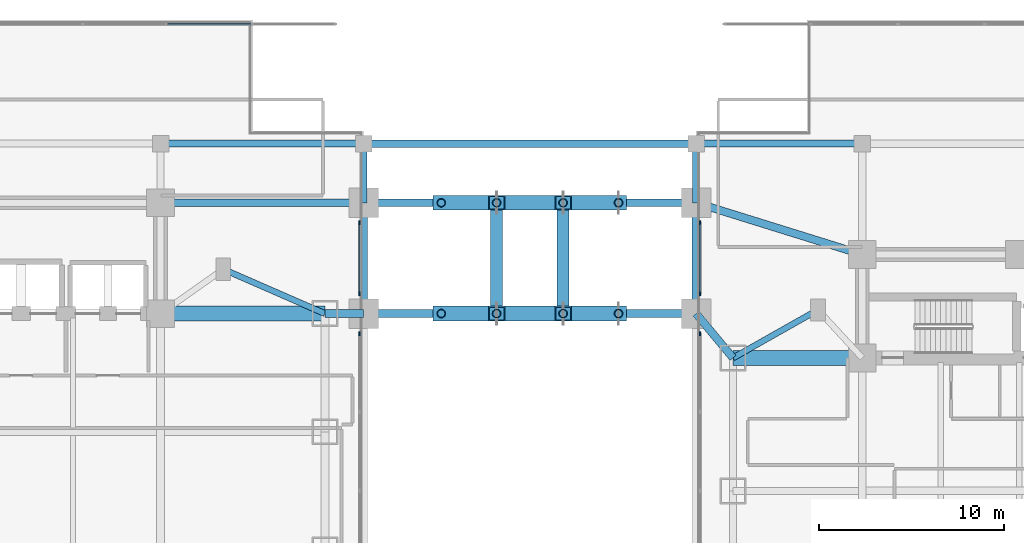
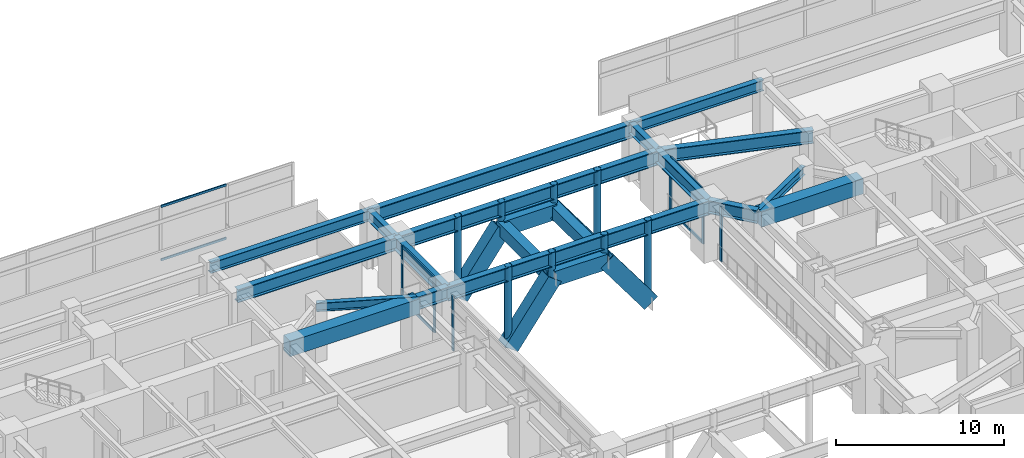
# One storey, part 7 of 30: 28 members, 17 beams, 5 elements without a shape of their own.
"""IFC4 building model written with IfcOpenShell, lengths in metres."""

from ifc_helpers import new_model, si_unit, direction, frame, origin, origin_2d, place, context, subcontext, project, spatial, rectangle, hollow_rectangle, hollow_circle, i_section, extrude, material, material_profile, profile_set, type_object, element, aggregate, save


model = new_model("IFC4")

# Units and contexts
model_context = context("Model", 3, precision=1e-05, world=origin(), true_north=direction((0.0, 1.0)))
body_context = subcontext(model_context, "Body", "Model", "MODEL_VIEW")
ifc_project = project(units=[si_unit("LENGTHUNIT", "METRE"), si_unit("AREAUNIT", "SQUARE_METRE"), si_unit("VOLUMEUNIT", "CUBIC_METRE"), si_unit("PLANEANGLEUNIT", "RADIAN"), si_unit("MASSUNIT", "GRAM", prefix="KILO")], contexts=[model_context])

# Site, building, storey
site_placement = place(None, origin())
site = spatial("IfcSite", under=ifc_project, at=site_placement, CompositionType="ELEMENT")
building_placement = place(site_placement, origin())
building = spatial("IfcBuilding", under=site, at=building_placement, Name="Mirazonda Arch Towers", CompositionType="ELEMENT")
storey_placement = place(building_placement, frame((0.0, 0.0, 9.5)))
storey = spatial("IfcBuildingStorey", under=building, at=storey_placement, Name="L02", CompositionType="ELEMENT", Elevation=9.5)

# Beams
ifc_material_1 = material(Name="Steel ASTM A992 Grade 50", Category="steel")
ifc_material_profile_1 = material_profile(ifc_material_1, i_section(OverallWidth=0.381103515625, OverallDepth=0.77294921875, WebThickness=0.0166015625, FlangeThickness=0.027099609375, at=origin_2d()), Name="W30X173")
ifc_profile_set_1 = profile_set([ifc_material_profile_1], Name="Steel ASTM A992 Grade 50")
beam_type_1 = type_object("IfcBeamType", Name="BM-EXT-W30X173", PredefinedType="USERDEFINED", material=ifc_profile_set_1)
beam_1_placement = place(storey_placement, frame((30.0, 46.800048828125, 3.593505859375), z_axis=(1.0, 0.0, 0.0), x_axis=(0.0, 1.0, 0.0)))
element("IfcBeam", 1, at=beam_1_placement, inside=storey, type_object=beam_type_1, Name="L02 Floor Beam BM-POD-L02-PN-3", ObjectType="GIRDER", PredefinedType="USERDEFINED", context=body_context, shape_type="SweptSolid", body=[
    extrude(i_section(OverallWidth=0.381103515625, OverallDepth=0.77294921875, WebThickness=0.0166015625, FlangeThickness=0.027099609375, at=origin_2d()), origin(), (0.0, 0.0, 1.0), 11.0),
])
beam_2_placement = place(storey_placement, frame((59.0, 46.800048828125, 3.593505859375), z_axis=(1.0, 0.0, 0.0), x_axis=(0.0, 1.0, 0.0)))
element("IfcBeam", 2, at=beam_2_placement, inside=storey, type_object=beam_type_1, Name="L02 Floor Beam BM-POD-L02-PN-4", ObjectType="GIRDER", PredefinedType="USERDEFINED", context=body_context, shape_type="SweptSolid", body=[
    extrude(i_section(OverallWidth=0.381103515625, OverallDepth=0.77294921875, WebThickness=0.0166015625, FlangeThickness=0.027099609375, at=origin_2d()), origin(), (0.0, 0.0, 1.0), 9.0),
])
ifc_material_profile_2 = material_profile(ifc_material_1, i_section(OverallWidth=0.423095703125, OverallDepth=0.947998046875, WebThickness=0.02392578125, FlangeThickness=0.042724609375, at=origin_2d()), Name="W36X302")
ifc_profile_set_2 = profile_set([ifc_material_profile_2], Name="Steel ASTM A992 Grade 50")
beam_type_2 = type_object("IfcBeamType", Name="BM-EXT-W36X302", PredefinedType="USERDEFINED", material=ifc_profile_set_2)
for number, where, z_axis, x_axis, name in (
    (3, (41.0, 37.60009765625, 3.506103515625), (0.0, 1.0, 0.0), (-1.0, 0.0, 0.0), "L02 Floor Beam BM-POD-L02-PA-WL3"),
    (4, (59.0, 37.60009765625, 3.506103515625), (0.0, 1.0, 0.0), (-1.0, 0.0, 0.0), "L02 Floor Beam BM-POD-L02-PA-EL3"),
):
    element("IfcBeam", number, at=place(storey_placement, frame(where, z_axis=z_axis, x_axis=x_axis)), inside=storey, type_object=beam_type_2, Name=name, ObjectType="GIRDER", PredefinedType="USERDEFINED", context=body_context, shape_type="SweptSolid", body=[
        extrude(i_section(OverallWidth=0.423095703125, OverallDepth=0.947998046875, WebThickness=0.02392578125, FlangeThickness=0.042724609375, at=origin_2d()), origin(), (0.0, 0.0, 1.0), 6.0),
    ])
ifc_material_profile_3 = material_profile(ifc_material_1, i_section(OverallWidth=0.419921875, OverallDepth=1.0400390625, WebThickness=0.031005859375, FlangeThickness=0.055908203125, at=origin_2d()), Name="W40X397")
ifc_profile_set_3 = profile_set([ifc_material_profile_3], Name="Steel ASTM A992 Grade 50")
beam_type_3 = type_object("IfcBeamType", Name="BM-EXT-W40X397", PredefinedType="USERDEFINED", material=ifc_profile_set_3)
beam_3_placement = place(storey_placement, frame((41.0, 46.800048828125, 3.4599609375), z_axis=(1.0, 0.0, 0.0), x_axis=(0.0, 1.0, 0.0)))
element("IfcBeam", 5, at=beam_3_placement, inside=storey, type_object=beam_type_3, Name="L02 Floor Beam BM-POD-L02-PARCH-6", ObjectType="GIRDER", PredefinedType="USERDEFINED", context=body_context, shape_type="SweptSolid", body=[
    extrude(i_section(OverallWidth=0.419921875, OverallDepth=1.0400390625, WebThickness=0.031005859375, FlangeThickness=0.055908203125, at=origin_2d()), origin(), (0.0, 0.0, 1.0), 18.0),
])
ifc_material_profile_4 = material_profile(ifc_material_1, i_section(OverallWidth=0.324951171875, OverallDepth=0.615966796875, WebThickness=0.013916015625, FlangeThickness=0.021484375, at=origin_2d()), Name="W24X117")
ifc_profile_set_4 = profile_set([ifc_material_profile_4], Name="Steel ASTM A992 Grade 50")
beam_type_4 = type_object("IfcBeamType", Name="BM-INT-W24X117", PredefinedType="BEAM", material=ifc_profile_set_4)
beam_4_placement = place(storey_placement, frame((33.39990234375, 40.0, 3.672119140625), z_axis=(0.916545343703, -0.399930785183, 0.0), x_axis=(0.399930785183, 0.916545343703, 0.0)))
element("IfcBeam", 6, at=beam_4_placement, inside=storey, type_object=beam_type_4, Name="L02 Floor Beam BM-T1-L02-PL-NE2", PredefinedType="BEAM", context=body_context, shape_type="SweptSolid", body=[
    extrude(i_section(OverallWidth=0.324951171875, OverallDepth=0.615966796875, WebThickness=0.013916015625, FlangeThickness=0.021484375, at=origin_2d()), origin(), (0.0, 0.0, 1.0), 6.000732421875),
])
beam_5_placement = place(storey_placement, frame((65.60009765625, 37.800048828125, 3.672119140625), z_axis=(-0.870559396632, -0.492063346467, 0.0), x_axis=(0.492063346467, -0.870559396632, 0.0)))
element("IfcBeam", 7, at=beam_5_placement, inside=storey, type_object=beam_type_4, Name="L02 Floor Beam BM-T2-L02-PL-NW2", PredefinedType="BEAM", context=body_context, shape_type="SweptSolid", body=[
    extrude(i_section(OverallWidth=0.324951171875, OverallDepth=0.615966796875, WebThickness=0.013916015625, FlangeThickness=0.021484375, at=origin_2d()), origin(), (0.0, 0.0, 1.0), 5.2841796875),
])
ifc_material_profile_5 = material_profile(ifc_material_1, i_section(OverallWidth=0.381103515625, OverallDepth=0.77294921875, WebThickness=0.0166015625, FlangeThickness=0.027099609375, at=origin_2d()), Name="W30X173")
ifc_profile_set_5 = profile_set([ifc_material_profile_5], Name="Steel ASTM A992 Grade 50")
beam_type_5 = type_object("IfcBeamType", Name="BM-INT-W30X173", PredefinedType="USERDEFINED", material=ifc_profile_set_5)
for number, where, z_axis, x_axis, name in (
    (8, (41.0, 43.60009765625, 3.593505859375), (0.0, 1.0, 0.0), (-1.0, 0.0, 0.0), "L02 Floor Beam BM-POD-L02-PCN-4"),
    (9, (59.0, 43.60009765625, 3.593505859375), (0.0, 1.0, 0.0), (-1.0, 0.0, 0.0), "L02 Floor Beam BM-POD-L02-PCN-5"),
):
    element("IfcBeam", number, at=place(storey_placement, frame(where, z_axis=z_axis, x_axis=x_axis)), inside=storey, type_object=beam_type_5, Name=name, ObjectType="GIRDER", PredefinedType="USERDEFINED", context=body_context, shape_type="SweptSolid", body=[
        extrude(i_section(OverallWidth=0.381103515625, OverallDepth=0.77294921875, WebThickness=0.0166015625, FlangeThickness=0.027099609375, at=origin_2d()), origin(), (0.0, 0.0, 1.0), 3.199951171875),
    ])
ifc_material_profile_6 = material_profile(ifc_material_1, i_section(OverallWidth=0.423095703125, OverallDepth=0.947998046875, WebThickness=0.02392578125, FlangeThickness=0.042724609375, at=origin_2d()), Name="W36X302")
ifc_profile_set_6 = profile_set([ifc_material_profile_6], Name="Steel ASTM A992 Grade 50")
beam_type_6 = type_object("IfcBeamType", Name="BM-INT-W36X302", PredefinedType="USERDEFINED", material=ifc_profile_set_6)
beam_6_placement = place(storey_placement, frame((38.89990234375, 37.60009765625, 3.506103515625), z_axis=(1.0, 0.0, 0.0), x_axis=(0.0, 1.0, 0.0)))
element("IfcBeam", 10, at=beam_6_placement, inside=storey, type_object=beam_type_6, Name="L02 Floor Beam BM-POD-L02-PA-W3", ObjectType="GIRDER", PredefinedType="USERDEFINED", context=body_context, shape_type="SweptSolid", body=[
    extrude(i_section(OverallWidth=0.423095703125, OverallDepth=0.947998046875, WebThickness=0.02392578125, FlangeThickness=0.042724609375, at=origin_2d()), origin(), (0.0, 0.0, 1.0), 2.10009765625),
])
beam_7_placement = place(storey_placement, frame((30.0, 43.60009765625, 3.506103515625), z_axis=(1.0, 0.0, 0.0), x_axis=(0.0, 1.0, 0.0)))
element("IfcBeam", 11, at=beam_7_placement, inside=storey, type_object=beam_type_6, Name="L02 Floor Beam BM-POD-L02-PA-W4", ObjectType="GIRDER", PredefinedType="USERDEFINED", context=body_context, shape_type="SweptSolid", body=[
    extrude(i_section(OverallWidth=0.423095703125, OverallDepth=0.947998046875, WebThickness=0.02392578125, FlangeThickness=0.042724609375, at=origin_2d()), origin(), (0.0, 0.0, 1.0), 11.0),
])
beam_8_placement = place(storey_placement, frame((59.0, 37.60009765625, 3.506103515625), z_axis=(0.640161340286, -0.76824049516, 0.0), x_axis=(0.76824049516, 0.640161340286, 0.0)))
element("IfcBeam", 12, at=beam_8_placement, inside=storey, type_object=beam_type_6, Name="L02 Floor Beam BM-POD-L02-PA-E3", ObjectType="GIRDER", PredefinedType="USERDEFINED", context=body_context, shape_type="SweptSolid", body=[
    extrude(i_section(OverallWidth=0.423095703125, OverallDepth=0.947998046875, WebThickness=0.02392578125, FlangeThickness=0.042724609375, at=origin_2d()), origin(), (0.0, 0.0, 1.0), 3.124267578125),
])
beam_9_placement = place(storey_placement, frame((59.0, 43.60009765625, 3.506103515625), z_axis=(0.954855306861, -0.29707127589, 0.0), x_axis=(0.29707127589, 0.954855306861, 0.0)))
element("IfcBeam", 13, at=beam_9_placement, inside=storey, type_object=beam_type_6, Name="L02 Floor Beam BM-POD-L02-PA-E4", ObjectType="GIRDER", PredefinedType="USERDEFINED", context=body_context, shape_type="SweptSolid", body=[
    extrude(i_section(OverallWidth=0.423095703125, OverallDepth=0.947998046875, WebThickness=0.02392578125, FlangeThickness=0.042724609375, at=origin_2d()), origin(), (0.0, 0.0, 1.0), 9.425537109375),
])
ifc_material_profile_7 = material_profile(ifc_material_1, i_section(OverallWidth=0.419921875, OverallDepth=1.0400390625, WebThickness=0.031005859375, FlangeThickness=0.055908203125, at=origin_2d()), Name="W40X397")
ifc_profile_set_7 = profile_set([ifc_material_profile_7], Name="Steel ASTM A992 Grade 50")
beam_type_7 = type_object("IfcBeamType", Name="BM-INT-W40X397", PredefinedType="USERDEFINED", material=ifc_profile_set_7)
for number, where, z_axis, x_axis, name in (
    (14, (41.0, 37.60009765625, 3.4599609375), (1.0, 0.0, 0.0), (0.0, 1.0, 0.0), "L02 Floor Beam BM-POD-L02-PARCH-4"),
    (15, (41.0, 43.60009765625, 3.4599609375), (1.0, 0.0, 0.0), (0.0, 1.0, 0.0), "L02 Floor Beam BM-POD-L02-PARCH-5"),
):
    element("IfcBeam", number, at=place(storey_placement, frame(where, z_axis=z_axis, x_axis=x_axis)), inside=storey, type_object=beam_type_7, Name=name, ObjectType="GIRDER", PredefinedType="USERDEFINED", context=body_context, shape_type="SweptSolid", body=[
        extrude(i_section(OverallWidth=0.419921875, OverallDepth=1.0400390625, WebThickness=0.031005859375, FlangeThickness=0.055908203125, at=origin_2d()), origin(), (0.0, 0.0, 1.0), 18.0),
    ])
ifc_material_2 = material(Name="Concrete C60/75", Category="concrete")
ifc_material_profile_8 = material_profile(ifc_material_2, rectangle(XDim=0.800048828125, YDim=1.10009765625, at=origin_2d()), Name="RCCB800x1100")
ifc_profile_set_8 = profile_set([ifc_material_profile_8], Name="Concrete C60/75")
beam_type_8 = type_object("IfcBeamType", Name="CB-INT-RCCB800x1100", PredefinedType="SPANDREL", material=ifc_profile_set_8)
beam_10_placement = place(storey_placement, frame((30.0, 37.60009765625, 3.429931640625), z_axis=(1.0, 0.0, 0.0), x_axis=(0.0, 1.0, 0.0)))
element("IfcBeam", 16, at=beam_10_placement, inside=storey, type_object=beam_type_8, Name="L02 Floor Beam CB-T1-L02-NE", PredefinedType="SPANDREL", context=body_context, shape_type="SweptSolid", body=[
    extrude(rectangle(XDim=0.800048828125, YDim=1.10009765625, at=origin_2d()), origin(), (0.0, 0.0, 1.0), 8.89990234375),
])
beam_11_placement = place(storey_placement, frame((61.0, 35.199951171875, 3.429931640625), z_axis=(1.0, 0.0, 0.0), x_axis=(0.0, 1.0, 0.0)))
element("IfcBeam", 17, at=beam_11_placement, inside=storey, type_object=beam_type_8, Name="L02 Floor Beam CB-T2-L02-NW", PredefinedType="SPANDREL", context=body_context, shape_type="SweptSolid", body=[
    extrude(rectangle(XDim=0.800048828125, YDim=1.10009765625, at=origin_2d()), origin(), (0.0, 0.0, 1.0), 7.0),
])

# Members
ifc_material_3 = material(Name="Steel ASTM A572 Grade 50", Category="steel")
ifc_material_profile_9 = material_profile(ifc_material_3, hollow_rectangle(XDim=0.64990234375, YDim=0.89990234375, WallThickness=0.050048828125, at=origin_2d()), Name="ARCHBOX900x650x50")
ifc_profile_set_9 = profile_set([ifc_material_profile_9], Name="Steel ASTM A572 Grade 50")
member_type_1 = type_object("IfcMemberType", Name="MBR-EXT-ARCHBOX900x650x50", PredefinedType="BRACE", material=ifc_profile_set_9)
for number, where, z_axis, x_axis, name in (
    (18, (48.199951171875, 37.60009765625, 2.14990234375), (0.0, 1.0, 0.0), (-1.0, 0.0, 0.0), "Podium Arch Transverse Brace N-2"),
    (19, (51.800048828125, 37.60009765625, 2.14990234375), (0.0, 1.0, 0.0), (-1.0, 0.0, 0.0), "Podium Arch Transverse Brace N-3"),
):
    element("IfcMember", number, at=place(storey_placement, frame(where, z_axis=z_axis, x_axis=x_axis)), inside=storey, type_object=member_type_1, Name=name, PredefinedType="BRACE", context=body_context, shape_type="SweptSolid", body=[
        extrude(hollow_rectangle(XDim=0.64990234375, YDim=0.89990234375, WallThickness=0.050048828125, at=origin_2d()), origin(), (0.0, 0.0, 1.0), 6.0),
    ])
ifc_material_profile_10 = material_profile(ifc_material_3, hollow_rectangle(XDim=0.800048828125, YDim=1.10009765625, WallThickness=0.06005859375, at=origin_2d()), Name="ARCHBOX1100x800x60")
ifc_profile_set_10 = profile_set([ifc_material_profile_10], Name="Steel ASTM A572 Grade 50")
member_type_2 = type_object("IfcMemberType", Name="MBR-INT-ARCHBOX1100x800x60", PredefinedType="CHORD", material=ifc_profile_set_10)
member_1_placement = place(storey_placement, frame((45.199951171875, 37.60009765625, -1.89990234375), z_axis=(0.595246086003, 0.0, 0.803543463104), x_axis=(0.0, 1.0, 0.0)))
element("IfcMember", 20, at=member_1_placement, inside=storey, type_object=member_type_2, Name="Podium Parabolic Arch Rib 3 Chord 2", PredefinedType="CHORD", context=body_context, shape_type="SweptSolid", body=[
    extrude(hollow_rectangle(XDim=0.800048828125, YDim=1.10009765625, WallThickness=0.06005859375, at=origin_2d()), origin(), (0.0, 0.0, 1.0), 5.0400390625),
])
member_2_placement = place(storey_placement, frame((48.199951171875, 37.60009765625, 2.14990234375), z_axis=(1.0, 0.0, 0.0), x_axis=(0.0, 1.0, 0.0)))
element("IfcMember", 21, at=member_2_placement, inside=storey, type_object=member_type_2, Name="Podium Parabolic Arch Rib 3 Chord 3", PredefinedType="CHORD", context=body_context, shape_type="SweptSolid", body=[
    extrude(hollow_rectangle(XDim=0.800048828125, YDim=1.10009765625, WallThickness=0.06005859375, at=origin_2d()), origin(), (0.0, 0.0, 1.0), 3.60009765625),
])
for number, where, z_axis, x_axis, name in (
    (22, (51.800048828125, 37.60009765625, 2.14990234375), (0.595246086003, 0.0, -0.803543463104), (0.0, 1.0, 0.0), "Podium Parabolic Arch Rib 3 Chord 4"),
    (23, (45.199951171875, 43.60009765625, -1.89990234375), (0.595246086003, 0.0, 0.803543463104), (0.0, 1.0, 0.0), "Podium Parabolic Arch Rib 4 Chord 2"),
):
    element("IfcMember", number, at=place(storey_placement, frame(where, z_axis=z_axis, x_axis=x_axis)), inside=storey, type_object=member_type_2, Name=name, PredefinedType="CHORD", context=body_context, shape_type="SweptSolid", body=[
        extrude(hollow_rectangle(XDim=0.800048828125, YDim=1.10009765625, WallThickness=0.06005859375, at=origin_2d()), origin(), (0.0, 0.0, 1.0), 5.0400390625),
    ])
member_3_placement = place(storey_placement, frame((48.199951171875, 43.60009765625, 2.14990234375), z_axis=(1.0, 0.0, 0.0), x_axis=(0.0, 1.0, 0.0)))
element("IfcMember", 24, at=member_3_placement, inside=storey, type_object=member_type_2, Name="Podium Parabolic Arch Rib 4 Chord 3", PredefinedType="CHORD", context=body_context, shape_type="SweptSolid", body=[
    extrude(hollow_rectangle(XDim=0.800048828125, YDim=1.10009765625, WallThickness=0.06005859375, at=origin_2d()), origin(), (0.0, 0.0, 1.0), 3.60009765625),
])
member_4_placement = place(storey_placement, frame((51.800048828125, 43.60009765625, 2.14990234375), z_axis=(0.595246086003, 0.0, -0.803543463104), x_axis=(0.0, 1.0, 0.0)))
element("IfcMember", 25, at=member_4_placement, inside=storey, type_object=member_type_2, Name="Podium Parabolic Arch Rib 4 Chord 4", PredefinedType="CHORD", context=body_context, shape_type="SweptSolid", body=[
    extrude(hollow_rectangle(XDim=0.800048828125, YDim=1.10009765625, WallThickness=0.06005859375, at=origin_2d()), origin(), (0.0, 0.0, 1.0), 5.0400390625),
])
ifc_material_profile_11 = material_profile(ifc_material_3, hollow_circle(Radius=0.228515625, WallThickness=0.02197265625, at=origin_2d()), Name="BELTSTRUT457x22CHS")
ifc_profile_set_11 = profile_set([ifc_material_profile_11], Name="Steel ASTM A572 Grade 50")
member_type_3 = type_object("IfcMemberType", Name="MBR-INT-BELTSTRUT457x22CHS", PredefinedType="STRUT", material=ifc_profile_set_11)
member_5_placement = place(storey_placement, frame((45.199951171875, 37.60009765625, -1.89990234375), z_axis=(0.0, 0.0, 1.0), x_axis=(1.0, 0.0, 0.0)))
element("IfcMember", 26, at=member_5_placement, inside=storey, type_object=member_type_3, Name="Arch Spandrel Post R3-1", PredefinedType="STRUT", context=body_context, shape_type="SweptSolid", body=[
    extrude(hollow_circle(Radius=0.228515625, WallThickness=0.02197265625, at=origin_2d()), origin(), (0.0, 0.0, 1.0), 5.8798828125),
])
for number, where, z_axis, x_axis, name in (
    (27, (48.199951171875, 37.60009765625, 2.14990234375), (0.0, 0.0, 1.0), (1.0, 0.0, 0.0), "Arch Spandrel Post R3-2"),
    (28, (51.800048828125, 37.60009765625, 2.14990234375), (0.0, 0.0, 1.0), (1.0, 0.0, 0.0), "Arch Spandrel Post R3-3"),
):
    element("IfcMember", number, at=place(storey_placement, frame(where, z_axis=z_axis, x_axis=x_axis)), inside=storey, type_object=member_type_3, Name=name, PredefinedType="STRUT", context=body_context, shape_type="SweptSolid", body=[
        extrude(hollow_circle(Radius=0.228515625, WallThickness=0.02197265625, at=origin_2d()), origin(), (0.0, 0.0, 1.0), 1.830078125),
    ])
for number, where, z_axis, x_axis, name in (
    (29, (54.800048828125, 37.60009765625, -1.89990234375), (0.0, 0.0, 1.0), (1.0, 0.0, 0.0), "Arch Spandrel Post R3-4"),
    (30, (45.199951171875, 43.60009765625, -1.89990234375), (0.0, 0.0, 1.0), (1.0, 0.0, 0.0), "Arch Spandrel Post R4-1"),
):
    element("IfcMember", number, at=place(storey_placement, frame(where, z_axis=z_axis, x_axis=x_axis)), inside=storey, type_object=member_type_3, Name=name, PredefinedType="STRUT", context=body_context, shape_type="SweptSolid", body=[
        extrude(hollow_circle(Radius=0.228515625, WallThickness=0.02197265625, at=origin_2d()), origin(), (0.0, 0.0, 1.0), 5.8798828125),
    ])
for number, where, z_axis, x_axis, name in (
    (31, (48.199951171875, 43.60009765625, 2.14990234375), (0.0, 0.0, 1.0), (1.0, 0.0, 0.0), "Arch Spandrel Post R4-2"),
    (32, (51.800048828125, 43.60009765625, 2.14990234375), (0.0, 0.0, 1.0), (1.0, 0.0, 0.0), "Arch Spandrel Post R4-3"),
):
    element("IfcMember", number, at=place(storey_placement, frame(where, z_axis=z_axis, x_axis=x_axis)), inside=storey, type_object=member_type_3, Name=name, PredefinedType="STRUT", context=body_context, shape_type="SweptSolid", body=[
        extrude(hollow_circle(Radius=0.228515625, WallThickness=0.02197265625, at=origin_2d()), origin(), (0.0, 0.0, 1.0), 1.830078125),
    ])
member_6_placement = place(storey_placement, frame((54.800048828125, 43.60009765625, -1.89990234375), z_axis=(0.0, 0.0, 1.0), x_axis=(1.0, 0.0, 0.0)))
element("IfcMember", 33, at=member_6_placement, inside=storey, type_object=member_type_3, Name="Arch Spandrel Post R4-4", PredefinedType="STRUT", context=body_context, shape_type="SweptSolid", body=[
    extrude(hollow_circle(Radius=0.228515625, WallThickness=0.02197265625, at=origin_2d()), origin(), (0.0, 0.0, 1.0), 5.8798828125),
])

# Curtain wall, members
ifc_material_4 = material(Name="Anodised Aluminium and Low-E Glass", Category="aluminium")
curtain_wall_type_1 = type_object("IfcCurtainWallType", Name="CW-ARCH-GLAZE", PredefinedType="NOTDEFINED", material=ifc_material_4)
curtain_wall_1_placement = place(storey_placement, origin())
curtain_wall_1 = element("IfcCurtainWall", 34, at=curtain_wall_1_placement, inside=storey, type_object=curtain_wall_type_1, Name="L02 Curtain Wall CW-L02-AW-S1", PredefinedType="NOTDEFINED")
ifc_material_5 = material(Name="Anodised Aluminium Alloy", Category="aluminium")
ifc_material_profile_12 = material_profile(ifc_material_5, rectangle(XDim=0.090087890625, YDim=0.219970703125, at=origin_2d()), Name="ALU-MULL-90x220")
ifc_profile_set_12 = profile_set([ifc_material_profile_12], Name="Anodised Aluminium Alloy")
member_type_4 = type_object("IfcMemberType", Name="MULL-CW-ARCH-GLAZE", PredefinedType="MULLION", material=ifc_profile_set_12)
member_7_placement = place(storey_placement, frame((40.780029296875, 42.514892578125, 0.0), z_axis=(0.0, 0.0, 1.0), x_axis=(1.0, 0.0, 0.0)))
member_7 = element("IfcMember", 35, at=member_7_placement, type_object=member_type_4, Name="CW-106 mullion 1", PredefinedType="MULLION", context=body_context, shape_type="SweptSolid", body=[
    extrude(rectangle(XDim=0.090087890625, YDim=0.219970703125, at=origin_2d()), origin(), (0.0, 0.0, 1.0), 3.9599609375),
])
member_8_placement = place(storey_placement, frame((40.780029296875, 38.68505859375, 0.0), z_axis=(0.0, 0.0, 1.0), x_axis=(1.0, 0.0, 0.0)))
member_8 = element("IfcMember", 36, at=member_8_placement, type_object=member_type_4, Name="CW-106 mullion 2", PredefinedType="MULLION", context=body_context, shape_type="SweptSolid", body=[
    extrude(rectangle(XDim=0.090087890625, YDim=0.219970703125, at=origin_2d()), origin(), (0.0, 0.0, 1.0), 3.9599609375),
])

# Curtain wall, member
curtain_wall_2_placement = place(storey_placement, origin())
curtain_wall_2 = element("IfcCurtainWall", 37, at=curtain_wall_2_placement, inside=storey, type_object=curtain_wall_type_1, Name="L02 Curtain Wall CW-L02-AW-S2", PredefinedType="NOTDEFINED")
member_9_placement = place(storey_placement, frame((40.780029296875, 36.514892578125, 0.0), z_axis=(0.0, 0.0, 1.0), x_axis=(1.0, 0.0, 0.0)))
member_9 = element("IfcMember", 38, at=member_9_placement, type_object=member_type_4, Name="CW-106 mullion 1", PredefinedType="MULLION", context=body_context, shape_type="SweptSolid", body=[
    extrude(rectangle(XDim=0.090087890625, YDim=0.219970703125, at=origin_2d()), origin(), (0.0, 0.0, 1.0), 3.9599609375),
])
aggregate(curtain_wall_2, [member_9])

curtain_wall_3_placement = place(storey_placement, origin())
curtain_wall_3 = element("IfcCurtainWall", 39, at=curtain_wall_3_placement, inside=storey, type_object=curtain_wall_type_1, Name="L02 Curtain Wall CW-L02-AE-S3", PredefinedType="NOTDEFINED")
member_10_placement = place(storey_placement, frame((59.219970703125, 36.514892578125, 0.0), z_axis=(0.0, 0.0, 1.0), x_axis=(-1.0, 0.0, 0.0)))
member_10 = element("IfcMember", 40, at=member_10_placement, type_object=member_type_4, Name="CW-106 mullion 5", PredefinedType="MULLION", context=body_context, shape_type="SweptSolid", body=[
    extrude(rectangle(XDim=0.090087890625, YDim=0.219970703125, at=origin_2d()), origin(), (0.0, 0.0, 1.0), 3.9599609375),
])
aggregate(curtain_wall_3, [member_10])

# Curtain wall, members
curtain_wall_4_placement = place(storey_placement, origin())
curtain_wall_4 = element("IfcCurtainWall", 41, at=curtain_wall_4_placement, inside=storey, type_object=curtain_wall_type_1, Name="L02 Curtain Wall CW-L02-AE-S4", PredefinedType="NOTDEFINED")
member_11_placement = place(storey_placement, frame((59.219970703125, 38.68505859375, 0.0), z_axis=(0.0, 0.0, 1.0), x_axis=(-1.0, 0.0, 0.0)))
member_11 = element("IfcMember", 42, at=member_11_placement, type_object=member_type_4, Name="CW-106 mullion 1", PredefinedType="MULLION", context=body_context, shape_type="SweptSolid", body=[
    extrude(rectangle(XDim=0.090087890625, YDim=0.219970703125, at=origin_2d()), origin(), (0.0, 0.0, 1.0), 3.9599609375),
])
member_12_placement = place(storey_placement, frame((59.219970703125, 42.514892578125, 0.0), z_axis=(0.0, 0.0, 1.0), x_axis=(-1.0, 0.0, 0.0)))
member_12 = element("IfcMember", 43, at=member_12_placement, type_object=member_type_4, Name="CW-106 mullion 2", PredefinedType="MULLION", context=body_context, shape_type="SweptSolid", body=[
    extrude(rectangle(XDim=0.090087890625, YDim=0.219970703125, at=origin_2d()), origin(), (0.0, 0.0, 1.0), 3.9599609375),
])

# Member
ifc_material_profile_13 = material_profile(ifc_material_5, rectangle(XDim=0.090087890625, YDim=0.199951171875, at=origin_2d()), Name="ALU-TRAN-90x200")
ifc_profile_set_13 = profile_set([ifc_material_profile_13], Name="Anodised Aluminium Alloy")
member_type_5 = type_object("IfcMemberType", Name="TRAN-CW-ARCH-GLAZE", PredefinedType="USERDEFINED", material=ifc_profile_set_13)
member_13_placement = place(storey_placement, frame((40.780029296875, 42.469970703125, 0.044921875), z_axis=(0.0, -1.0, 0.0), x_axis=(1.0, 0.0, 0.0)))
member_13 = element("IfcMember", 44, at=member_13_placement, type_object=member_type_5, Name="CW-106 transom 1.1", ObjectType="TRANSOM", PredefinedType="USERDEFINED", context=body_context, shape_type="SweptSolid", body=[
    extrude(rectangle(XDim=0.090087890625, YDim=0.199951171875, at=origin_2d()), origin(), (0.0, 0.0, 1.0), 3.739990234375),
])

member_14_placement = place(storey_placement, frame((40.780029296875, 42.469970703125, 3.9150390625), z_axis=(0.0, -1.0, 0.0), x_axis=(1.0, 0.0, 0.0)))
member_14 = element("IfcMember", 45, at=member_14_placement, type_object=member_type_5, Name="CW-106 transom 1.2", ObjectType="TRANSOM", PredefinedType="USERDEFINED", context=body_context, shape_type="SweptSolid", body=[
    extrude(rectangle(XDim=0.090087890625, YDim=0.199951171875, at=origin_2d()), origin(), (0.0, 0.0, 1.0), 3.739990234375),
])

aggregate(curtain_wall_1, [member_7, member_8, member_13, member_14])

member_15_placement = place(storey_placement, frame((59.219970703125, 38.72998046875, 0.044921875), z_axis=(0.0, 1.0, 0.0), x_axis=(-1.0, 0.0, 0.0)))
member_15 = element("IfcMember", 46, at=member_15_placement, type_object=member_type_5, Name="CW-106 transom 1.1", ObjectType="TRANSOM", PredefinedType="USERDEFINED", context=body_context, shape_type="SweptSolid", body=[
    extrude(rectangle(XDim=0.090087890625, YDim=0.199951171875, at=origin_2d()), origin(), (0.0, 0.0, 1.0), 3.739990234375),
])

member_16_placement = place(storey_placement, frame((59.219970703125, 38.72998046875, 3.9150390625), z_axis=(0.0, 1.0, 0.0), x_axis=(-1.0, 0.0, 0.0)))
member_16 = element("IfcMember", 47, at=member_16_placement, type_object=member_type_5, Name="CW-106 transom 1.2", ObjectType="TRANSOM", PredefinedType="USERDEFINED", context=body_context, shape_type="SweptSolid", body=[
    extrude(rectangle(XDim=0.090087890625, YDim=0.199951171875, at=origin_2d()), origin(), (0.0, 0.0, 1.0), 3.739990234375),
])

aggregate(curtain_wall_4, [member_11, member_12, member_15, member_16])

# Curtain wall, members
curtain_wall_type_2 = type_object("IfcCurtainWallType", Name="CW-POD-STORE", PredefinedType="NOTDEFINED", material=ifc_material_4)
curtain_wall_5_placement = place(storey_placement, origin())
curtain_wall_5 = element("IfcCurtainWall", 48, at=curtain_wall_5_placement, inside=storey, type_object=curtain_wall_type_2, Name="L02 Curtain Wall CW-L02-WN", PredefinedType="NOTDEFINED")
ifc_material_profile_14 = material_profile(ifc_material_5, rectangle(XDim=0.080078125, YDim=0.159912109375, at=origin_2d()), Name="ALU-TRAN-80x160")
ifc_profile_set_14 = profile_set([ifc_material_profile_14], Name="Anodised Aluminium Alloy")
member_type_6 = type_object("IfcMemberType", Name="TRAN-CW-POD-STORE", PredefinedType="USERDEFINED", material=ifc_profile_set_14)
member_17_placement = place(storey_placement, frame((30.397216796875, 53.280029296875, 0.0400390625), z_axis=(1.0, 0.0, 0.0), x_axis=(0.0, 1.0, 0.0)))
member_17 = element("IfcMember", 49, at=member_17_placement, type_object=member_type_6, Name="CW-102 transom 6.1", ObjectType="TRANSOM", PredefinedType="USERDEFINED", context=body_context, shape_type="SweptSolid", body=[
    extrude(rectangle(XDim=0.080078125, YDim=0.159912109375, at=origin_2d()), origin(), (0.0, 0.0, 1.0), 4.491455078125),
])
member_18_placement = place(storey_placement, frame((30.397216796875, 53.280029296875, 3.919921875), z_axis=(1.0, 0.0, 0.0), x_axis=(0.0, 1.0, 0.0)))
member_18 = element("IfcMember", 50, at=member_18_placement, type_object=member_type_6, Name="CW-102 transom 6.2", ObjectType="TRANSOM", PredefinedType="USERDEFINED", context=body_context, shape_type="SweptSolid", body=[
    extrude(rectangle(XDim=0.080078125, YDim=0.159912109375, at=origin_2d()), origin(), (0.0, 0.0, 1.0), 4.491455078125),
])
aggregate(curtain_wall_5, [member_17, member_18])

save(model, "model.ifc")
